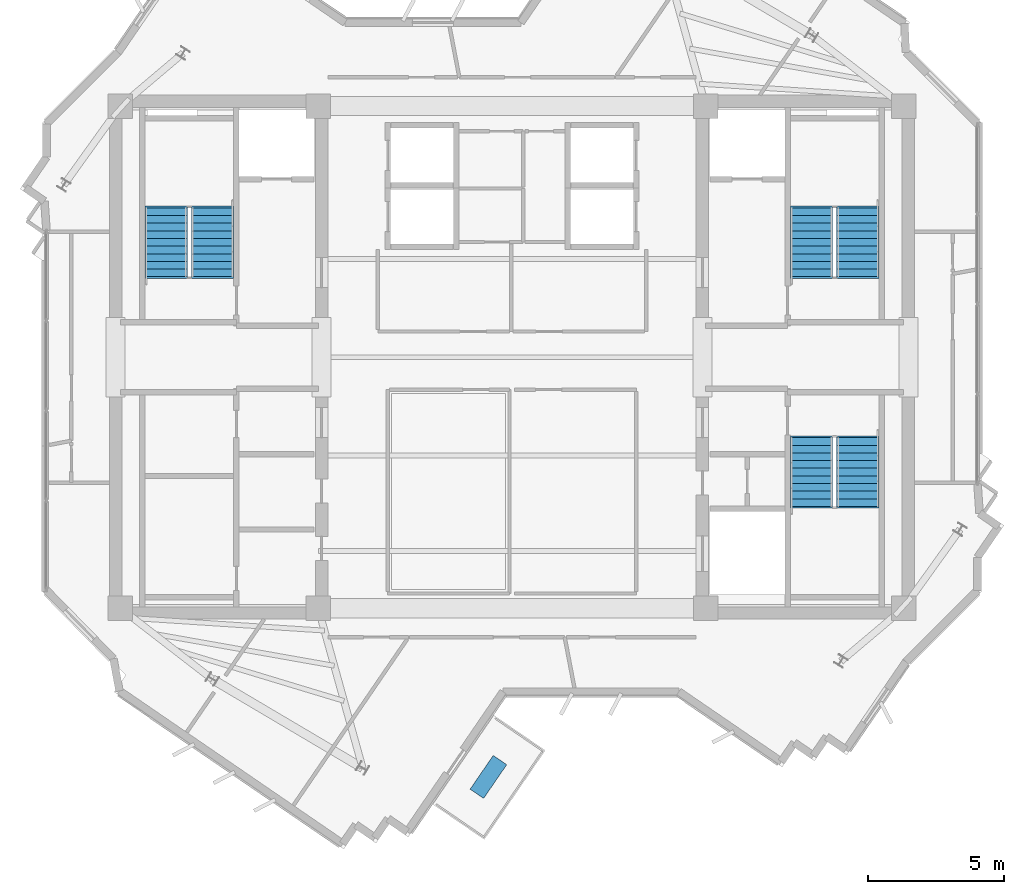
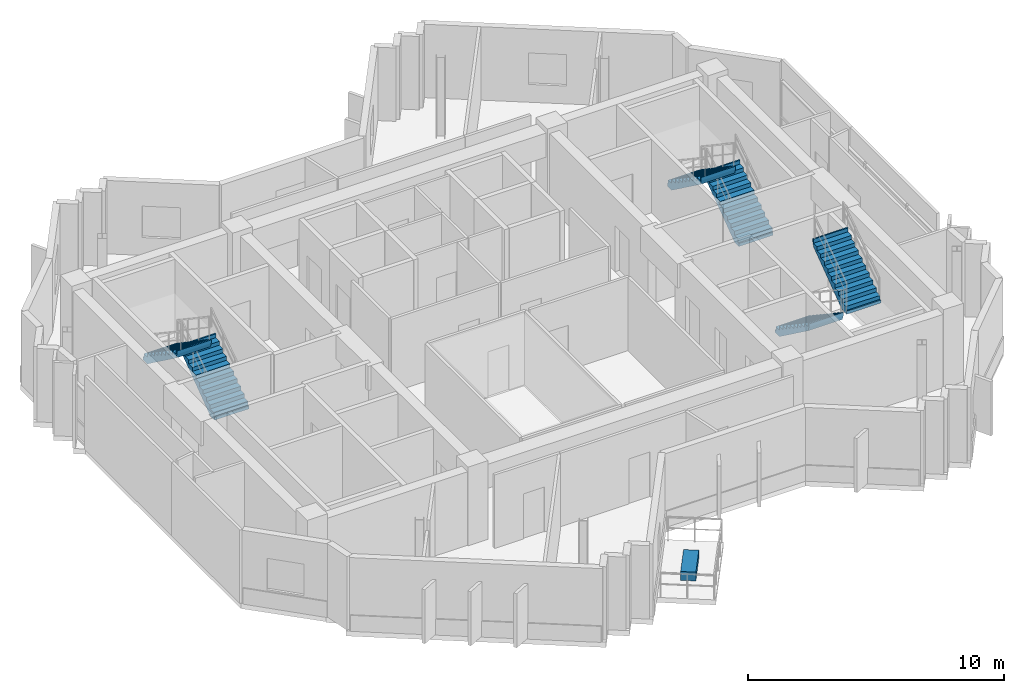
# One storey, part 9 of 11: 6 stair flights, 1 discrete accessory, 3 elements without a shape of their own.
"""IFC4 building model written with IfcOpenShell, lengths in metres."""

from ifc_helpers import new_model, si_unit, direction, frame, origin, origin_2d, place, context, subcontext, project, spatial, polyline, rectangle, outline, extrude, source, transform, mapped, material, type_object, element, aggregate, save


model = new_model("IFC4")

# Units and contexts
model_context = context("Model", 3, precision=1e-05, world=origin(), true_north=direction((0.0, 1.0)))
body_context = subcontext(model_context, "Body", "Model", "MODEL_VIEW")
ifc_project = project(units=[si_unit("LENGTHUNIT", "METRE"), si_unit("AREAUNIT", "SQUARE_METRE"), si_unit("VOLUMEUNIT", "CUBIC_METRE"), si_unit("PLANEANGLEUNIT", "RADIAN"), si_unit("MASSUNIT", "GRAM", prefix="KILO")], contexts=[model_context])

# Site, building, storey
site_placement = place(None, origin())
site = spatial("IfcSite", under=ifc_project, at=site_placement, CompositionType="ELEMENT")
building_placement = place(site_placement, origin())
building = spatial("IfcBuilding", under=site, at=building_placement, Name="Zahravan Cultural Tower", CompositionType="ELEMENT")
storey_placement = place(building_placement, frame((0.0, 0.0, 334.800048828125)))
storey = spatial("IfcBuildingStorey", under=building, at=storey_placement, Name="L81", CompositionType="ELEMENT", Elevation=334.800048828125)

# Stair, stair flights
ifc_material_1 = material(Name="Concrete C45/55", Category="concrete")
stair_type = type_object("IfcStairType", Name="STR-DL-1550-375", PredefinedType="HALF_TURN_STAIR", material=ifc_material_1)
stair_1_placement = place(storey_placement, origin())
stair_1 = element("IfcStair", 1, at=stair_1_placement, inside=storey, type_object=stair_type, Name="L81 West Core North Exit Stair ST-W1", PredefinedType="HALF_TURN_STAIR")
stair_flight_type = type_object("IfcStairFlightType", Name="FLG-DL-1550-375", PredefinedType="STRAIGHT", material=ifc_material_1)
stair_flight_1_placement = place(storey_placement, frame((25.02490234375, 29.949951171875, 0.0), z_axis=(0.0, 0.0, 1.0), x_axis=(0.0, 1.0, 0.0)))
stair_flight_1 = element("IfcStairFlight", 2, at=stair_flight_1_placement, type_object=stair_flight_type, Name="ST-W1 flight 1", NumberOfRisers=10, NumberOfTreads=9, PredefinedType="STRAIGHT", RiserHeight=0.1875, TreadLength=0.28, context=body_context, shape_type="SweptSolid", body=[
    extrude(outline(polyline([(-0.06494140625, -0.139892578125), (-0.06494140625, 0.0), (0.0, 0.0), (0.0, 0.1875), (0.280029296875, 0.1875), (0.280029296875, 0.375), (0.56005859375, 0.375), (0.56005859375, 0.5625), (0.840087890625, 0.5625), (0.840087890625, 0.75), (1.1201171875, 0.75), (1.1201171875, 0.9375), (1.39990234375, 0.9375), (1.39990234375, 1.125), (1.679931640625, 1.125), (1.679931640625, 1.3125), (1.9599609375, 1.3125), (1.9599609375, 1.5), (2.239990234375, 1.5), (2.239990234375, 1.6875), (2.52001953125, 1.6875), (2.52001953125, 1.875), (2.5849609375, 1.875), (2.5849609375, 1.72509765625), (2.52001953125, 1.507080078125), (0.26953125, -0.139892578125), (-0.06494140625, -0.139892578125)])), frame((0.0, 0.77490234375, 0.0), z_axis=(0.0, -1.0, 0.0), x_axis=(1.0, 0.0, 0.0)), (0.0, 0.0, 1.0), 1.550048828125),
])
stair_flight_2_placement = place(storey_placement, frame((23.324951171875, 32.469970703125, 1.875), z_axis=(0.0, 0.0, 1.0), x_axis=(0.0, -1.0, 0.0)))
stair_flight_2 = element("IfcStairFlight", 3, at=stair_flight_2_placement, type_object=stair_flight_type, Name="ST-W1 flight 2", NumberOfRisers=10, NumberOfTreads=9, PredefinedType="STRAIGHT", RiserHeight=0.1875, TreadLength=0.28, context=body_context, shape_type="SweptSolid", body=[
    extrude(outline(polyline([(-0.06494140625, -0.139892578125), (-0.06494140625, 0.0), (0.0, 0.0), (0.0, 0.1875), (0.280029296875, 0.1875), (0.280029296875, 0.375), (0.56005859375, 0.375), (0.56005859375, 0.5625), (0.840087890625, 0.5625), (0.840087890625, 0.75), (1.1201171875, 0.75), (1.1201171875, 0.9375), (1.39990234375, 0.9375), (1.39990234375, 1.125), (1.679931640625, 1.125), (1.679931640625, 1.3125), (1.9599609375, 1.3125), (1.9599609375, 1.5), (2.239990234375, 1.5), (2.239990234375, 1.6875), (2.52001953125, 1.6875), (2.52001953125, 1.875), (2.5849609375, 1.875), (2.5849609375, 1.72509765625), (2.52001953125, 1.507080078125), (0.26953125, -0.139892578125), (-0.06494140625, -0.139892578125)])), frame((0.0, 0.77490234375, 0.0), z_axis=(0.0, -1.0, 0.0), x_axis=(1.0, 0.0, 0.0)), (0.0, 0.0, 1.0), 1.550048828125),
])
aggregate(stair_1, [stair_flight_1, stair_flight_2])

stair_2_placement = place(storey_placement, origin())
stair_2 = element("IfcStair", 4, at=stair_2_placement, inside=storey, type_object=stair_type, Name="L81 East Core North Exit Stair ST-E1", PredefinedType="HALF_TURN_STAIR")
stair_flight_3_placement = place(storey_placement, frame((48.675048828125, 29.949951171875, 0.0), z_axis=(0.0, 0.0, 1.0), x_axis=(0.0, 1.0, 0.0)))
stair_flight_3 = element("IfcStairFlight", 5, at=stair_flight_3_placement, type_object=stair_flight_type, Name="ST-E1 flight 1", NumberOfRisers=10, NumberOfTreads=9, PredefinedType="STRAIGHT", RiserHeight=0.1875, TreadLength=0.28, context=body_context, shape_type="SweptSolid", body=[
    extrude(outline(polyline([(-0.06494140625, -0.139892578125), (-0.06494140625, 0.0), (0.0, 0.0), (0.0, 0.1875), (0.280029296875, 0.1875), (0.280029296875, 0.375), (0.56005859375, 0.375), (0.56005859375, 0.5625), (0.840087890625, 0.5625), (0.840087890625, 0.75), (1.1201171875, 0.75), (1.1201171875, 0.9375), (1.39990234375, 0.9375), (1.39990234375, 1.125), (1.679931640625, 1.125), (1.679931640625, 1.3125), (1.9599609375, 1.3125), (1.9599609375, 1.5), (2.239990234375, 1.5), (2.239990234375, 1.6875), (2.52001953125, 1.6875), (2.52001953125, 1.875), (2.5849609375, 1.875), (2.5849609375, 1.72509765625), (2.52001953125, 1.507080078125), (0.26953125, -0.139892578125), (-0.06494140625, -0.139892578125)])), frame((0.0, 0.77490234375, 0.0), z_axis=(0.0, -1.0, 0.0), x_axis=(1.0, 0.0, 0.0)), (0.0, 0.0, 1.0), 1.550048828125),
])
stair_flight_4_placement = place(storey_placement, frame((46.97509765625, 32.469970703125, 1.875), z_axis=(0.0, 0.0, 1.0), x_axis=(0.0, -1.0, 0.0)))
stair_flight_4 = element("IfcStairFlight", 6, at=stair_flight_4_placement, type_object=stair_flight_type, Name="ST-E1 flight 2", NumberOfRisers=10, NumberOfTreads=9, PredefinedType="STRAIGHT", RiserHeight=0.1875, TreadLength=0.28, context=body_context, shape_type="SweptSolid", body=[
    extrude(outline(polyline([(-0.06494140625, -0.139892578125), (-0.06494140625, 0.0), (0.0, 0.0), (0.0, 0.1875), (0.280029296875, 0.1875), (0.280029296875, 0.375), (0.56005859375, 0.375), (0.56005859375, 0.5625), (0.840087890625, 0.5625), (0.840087890625, 0.75), (1.1201171875, 0.75), (1.1201171875, 0.9375), (1.39990234375, 0.9375), (1.39990234375, 1.125), (1.679931640625, 1.125), (1.679931640625, 1.3125), (1.9599609375, 1.3125), (1.9599609375, 1.5), (2.239990234375, 1.5), (2.239990234375, 1.6875), (2.52001953125, 1.6875), (2.52001953125, 1.875), (2.5849609375, 1.875), (2.5849609375, 1.72509765625), (2.52001953125, 1.507080078125), (0.26953125, -0.139892578125), (-0.06494140625, -0.139892578125)])), frame((0.0, 0.77490234375, 0.0), z_axis=(0.0, -1.0, 0.0), x_axis=(1.0, 0.0, 0.0)), (0.0, 0.0, 1.0), 1.550048828125),
])
aggregate(stair_2, [stair_flight_3, stair_flight_4])

stair_3_placement = place(storey_placement, origin())
stair_3 = element("IfcStair", 7, at=stair_3_placement, inside=storey, type_object=stair_type, Name="L81 East Core South Exit Stair ST-E2", PredefinedType="HALF_TURN_STAIR")
stair_flight_5_placement = place(storey_placement, frame((46.97509765625, 24.050048828125, 0.0), z_axis=(0.0, 0.0, 1.0), x_axis=(0.0, -1.0, 0.0)))
stair_flight_5 = element("IfcStairFlight", 8, at=stair_flight_5_placement, type_object=stair_flight_type, Name="ST-E2 flight 1", NumberOfRisers=10, NumberOfTreads=9, PredefinedType="STRAIGHT", RiserHeight=0.1875, TreadLength=0.28, context=body_context, shape_type="SweptSolid", body=[
    extrude(outline(polyline([(-0.06494140625, -0.139892578125), (-0.06494140625, 0.0), (0.0, 0.0), (0.0, 0.1875), (0.280029296875, 0.1875), (0.280029296875, 0.375), (0.56005859375, 0.375), (0.56005859375, 0.5625), (0.840087890625, 0.5625), (0.840087890625, 0.75), (1.1201171875, 0.75), (1.1201171875, 0.9375), (1.39990234375, 0.9375), (1.39990234375, 1.125), (1.679931640625, 1.125), (1.679931640625, 1.3125), (1.9599609375, 1.3125), (1.9599609375, 1.5), (2.239990234375, 1.5), (2.239990234375, 1.6875), (2.52001953125, 1.6875), (2.52001953125, 1.875), (2.5849609375, 1.875), (2.5849609375, 1.72509765625), (2.52001953125, 1.507080078125), (0.26953125, -0.139892578125), (-0.06494140625, -0.139892578125)])), frame((0.0, 0.77490234375, 0.0), z_axis=(0.0, -1.0, 0.0), x_axis=(1.0, 0.0, 0.0)), (0.0, 0.0, 1.0), 1.550048828125),
])
stair_flight_6_placement = place(storey_placement, frame((48.675048828125, 21.530029296875, 1.875), z_axis=(0.0, 0.0, 1.0), x_axis=(0.0, 1.0, 0.0)))
stair_flight_6 = element("IfcStairFlight", 9, at=stair_flight_6_placement, type_object=stair_flight_type, Name="ST-E2 flight 2", NumberOfRisers=10, NumberOfTreads=9, PredefinedType="STRAIGHT", RiserHeight=0.1875, TreadLength=0.28, context=body_context, shape_type="SweptSolid", body=[
    extrude(outline(polyline([(-0.06494140625, -0.139892578125), (-0.06494140625, 0.0), (0.0, 0.0), (0.0, 0.1875), (0.280029296875, 0.1875), (0.280029296875, 0.375), (0.56005859375, 0.375), (0.56005859375, 0.5625), (0.840087890625, 0.5625), (0.840087890625, 0.75), (1.1201171875, 0.75), (1.1201171875, 0.9375), (1.39990234375, 0.9375), (1.39990234375, 1.125), (1.679931640625, 1.125), (1.679931640625, 1.3125), (1.9599609375, 1.3125), (1.9599609375, 1.5), (2.239990234375, 1.5), (2.239990234375, 1.6875), (2.52001953125, 1.6875), (2.52001953125, 1.875), (2.5849609375, 1.875), (2.5849609375, 1.72509765625), (2.52001953125, 1.507080078125), (0.26953125, -0.139892578125), (-0.06494140625, -0.139892578125)])), frame((0.0, 0.77490234375, 0.0), z_axis=(0.0, -1.0, 0.0), x_axis=(1.0, 0.0, 0.0)), (0.0, 0.0, 1.0), 1.550048828125),
])
aggregate(stair_3, [stair_flight_5, stair_flight_6])

# Discrete accessory
ifc_material_2 = material(Name="Planted soil and terracotta planter", Category="masonry")
discrete_accessory_type = type_object("IfcDiscreteAccessoryType", Name="ACC-PLANTER-TC", PredefinedType="USERDEFINED", material=ifc_material_2)
shared_shape = source(origin(), body_context, "Body", "SweptSolid", [
    extrude(rectangle(XDim=1.5, YDim=0.60009765625, at=origin_2d()), origin(), (0.0, 0.0, 1.0), 0.419921875),
])
discrete_accessory_placement = place(storey_placement, frame((35.135986328125, 11.617919921875, 0.0), z_axis=(0.0, 0.0, 1.0), x_axis=(0.564967003425, 0.825113498278, 0.0)))
element("IfcDiscreteAccessory", 10, at=discrete_accessory_placement, inside=storey, type_object=discrete_accessory_type, Name="L81 Terracotta Sculpture Planter SW", ObjectType="PLANTER", PredefinedType="USERDEFINED", context=body_context, shape_type="MappedRepresentation", body=[
    mapped(shared_shape, transform((0.0, 0.0, 0.0), x_axis=(1.0, 0.0, 0.0), y_axis=(0.0, 1.0, 0.0), z_axis=(0.0, 0.0, 1.0), scale=1.0)),
])

save(model, "model.ifc")
